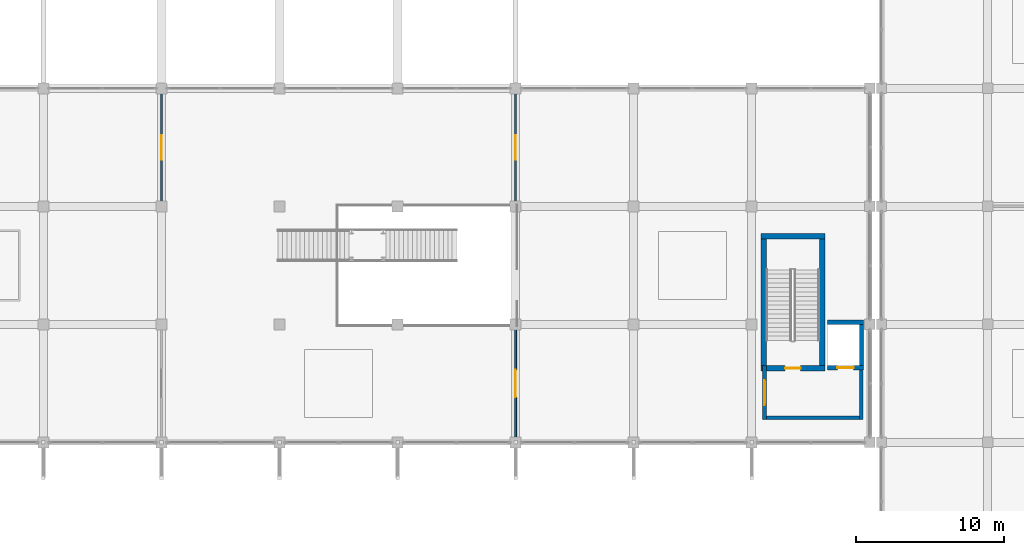
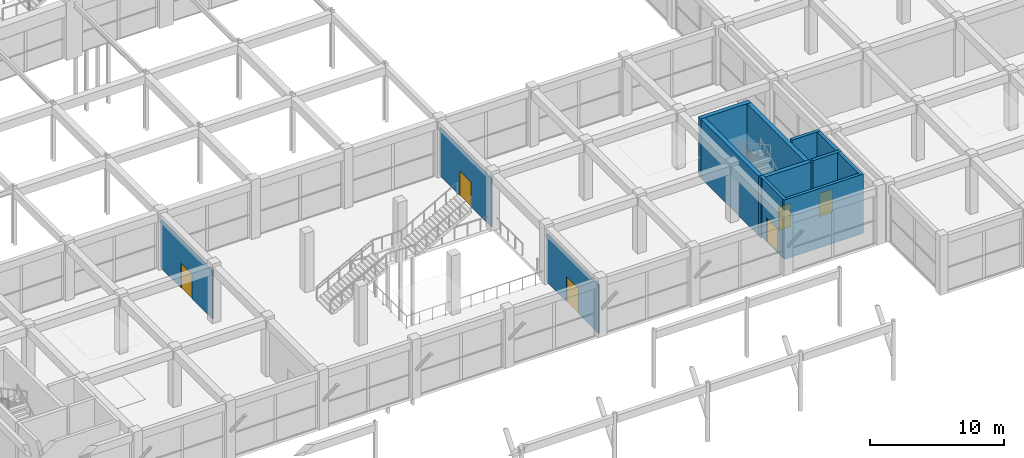
# One storey, part 49 of 69: 13 walls, 6 doors, 6 openings.
"""IFC4 building model written with IfcOpenShell, lengths in metres."""

from ifc_helpers import new_model, si_unit, direction, frame, frame_2d, origin, place, context, subcontext, project, spatial, rectangle, extrude, material, layer, layer_set, type_object, element, fill, save


model = new_model("IFC4")

# Units and contexts
model_context = context("Model", 3, precision=1e-05, world=origin(), true_north=direction((0.0, 1.0)))
body_context = subcontext(model_context, "Body", "Model", "MODEL_VIEW")
ifc_project = project(units=[si_unit("LENGTHUNIT", "METRE"), si_unit("AREAUNIT", "SQUARE_METRE"), si_unit("VOLUMEUNIT", "CUBIC_METRE"), si_unit("PLANEANGLEUNIT", "RADIAN"), si_unit("MASSUNIT", "GRAM", prefix="KILO")], contexts=[model_context])

# Site, building, storey
site_placement = place(None, origin())
site = spatial("IfcSite", under=ifc_project, at=site_placement, CompositionType="ELEMENT")
building_placement = place(site_placement, origin())
building = spatial("IfcBuilding", under=site, at=building_placement, Name="Kenh Van Central Station", CompositionType="ELEMENT")
storey_placement = place(building_placement, frame((0.0, 0.0, 5.39990234375)))
storey = spatial("IfcBuildingStorey", under=building, at=storey_placement, Name="L01", CompositionType="ELEMENT", Elevation=5.39990234375)

# Wall, opening, door
ifc_material_1 = material(Name="Concrete C40/50", Category="concrete")
ifc_layer_1 = layer(ifc_material_1, 0.280029296875, Name="Concrete C40/50")
ifc_layer_set_1 = layer_set([ifc_layer_1], Name="Concrete C40/50")
wall_type_1 = type_object("IfcWallType", Name="WL-CORE-280", PredefinedType="SHEAR", material=ifc_layer_set_1)
wall_1_placement = place(storey_placement, frame((117.14990234375, 21.06005859375, 0.0), z_axis=(0.0, 0.0, 1.0), x_axis=(1.0, 0.0, 0.0)))
wall_1 = element("IfcWall", 1, at=wall_1_placement, inside=storey, type_object=wall_type_1, Name="L01 LIFT-P4 shaft wall S", PredefinedType="SHEAR", context=body_context, shape_type="SweptSolid", body=[
    extrude(rectangle(XDim=2.43017578125, YDim=0.280029296875, at=frame_2d((1.215087890625, 0.0))), origin(), (0.0, 0.0, 1.0), 5.400146484375),
])
opening_1_placement = place(wall_1_placement, frame((0.6650390625, 0.0, 0.0)))
opening_1 = element("IfcOpeningElement", 2, at=opening_1_placement, cuts=wall_1, Name="Opening LD-P1", PredefinedType="OPENING", context=body_context, shape_type="SweptSolid", body=[
    extrude(rectangle(XDim=1.10009765625, YDim=2.14990234375, at=frame_2d((0.550048828125, 1.074951171875))), frame((0.0, 0.14990234375, 0.0), z_axis=(0.0, -1.0, 0.0), x_axis=(1.0, 0.0, 0.0)), (0.0, 0.0, 1.0), 0.300048828125),
])
ifc_material_2 = material(Name="Champagne anodised aluminium", Category="aluminium")
door_type_1 = type_object("IfcDoorType", Name="DR-LIFT-1100x2150", OperationType="SLIDING_TO_LEFT", PredefinedType="DOOR", material=ifc_material_2)
door_1_placement = place(opening_1_placement, origin())
door_1 = element("IfcDoor", 3, at=door_1_placement, inside=storey, type_object=door_type_1, Name="L01 LIFT-P4 sliding landing door", OperationType="SLIDING_TO_LEFT", OverallHeight=2.14990234375, OverallWidth=1.10009765625, PredefinedType="DOOR", context=body_context, shape_type="SweptSolid", body=[
    extrude(rectangle(XDim=1.10009765625, YDim=2.14990234375, at=frame_2d((0.550048828125, 1.074951171875))), frame((0.0, 0.02490234375, 0.0), z_axis=(0.0, -1.0, 0.0), x_axis=(1.0, 0.0, 0.0)), (0.0, 0.0, 1.0), 0.050048828125),
])
fill(opening_1, door_1)

# Walls
wall_2_placement = place(storey_placement, frame((117.14990234375, 24.139892578125, 0.0), z_axis=(0.0, 0.0, 1.0), x_axis=(1.0, 0.0, 0.0)))
element("IfcWall", 4, at=wall_2_placement, inside=storey, type_object=wall_type_1, Name="L01 LIFT-P4 shaft wall N", PredefinedType="SHEAR", context=body_context, shape_type="SweptSolid", body=[
    extrude(rectangle(XDim=2.43017578125, YDim=0.280029296875, at=frame_2d((1.215087890625, 0.0))), origin(), (0.0, 0.0, 1.0), 5.400146484375),
])
wall_3_placement = place(storey_placement, frame((119.43994140625, 21.199951171875, 0.0), z_axis=(0.0, 0.0, 1.0), x_axis=(0.0, 1.0, 0.0)))
element("IfcWall", 5, at=wall_3_placement, inside=storey, type_object=wall_type_1, Name="L01 LIFT-P4 shaft wall E", PredefinedType="SHEAR", context=body_context, shape_type="SweptSolid", body=[
    extrude(rectangle(XDim=2.800048828125, YDim=0.280029296875, at=frame_2d((1.39990234375, 0.0))), origin(), (0.0, 0.0, 1.0), 5.400146484375),
])

# Wall, opening, door
ifc_layer_2 = layer(ifc_material_1, 0.360107421875, Name="Concrete C40/50")
ifc_layer_set_2 = layer_set([ifc_layer_2], Name="Concrete C40/50")
wall_type_2 = type_object("IfcWallType", Name="WL-CORE-360", PredefinedType="SHEAR", material=ifc_layer_set_2)
wall_4_placement = place(storey_placement, frame((112.639892578125, 21.02001953125, 0.0), z_axis=(0.0, 0.0, 1.0), x_axis=(1.0, 0.0, 0.0)))
wall_4 = element("IfcWall", 6, at=wall_4_placement, inside=storey, type_object=wall_type_2, Name="L01 CORE-04 stair wall S", PredefinedType="SHEAR", context=body_context, shape_type="SweptSolid", body=[
    extrude(rectangle(XDim=4.320068359375, YDim=0.360107421875, at=frame_2d((2.16015625, 0.0))), origin(), (0.0, 0.0, 1.0), 5.400146484375),
])
opening_2_placement = place(wall_4_placement, frame((1.635009765625, 0.0, 0.0)))
opening_2 = element("IfcOpeningElement", 7, at=opening_2_placement, cuts=wall_4, Name="Opening D-FD60", PredefinedType="OPENING", context=body_context, shape_type="SweptSolid", body=[
    extrude(rectangle(XDim=1.050048828125, YDim=2.14990234375, at=frame_2d((0.52490234375, 1.074951171875))), frame((0.0, 0.18994140625, 0.0), z_axis=(0.0, -1.0, 0.0), x_axis=(1.0, 0.0, 0.0)), (0.0, 0.0, 1.0), 0.380126953125),
])
door_type_2 = type_object("IfcDoorType", Name="DR-FIRE-1050x2150", OperationType="NOTDEFINED", PredefinedType="DOOR", material=ifc_material_2)
door_2_placement = place(opening_2_placement, origin())
door_2 = element("IfcDoor", 8, at=door_2_placement, inside=storey, type_object=door_type_2, Name="L01 ST-04 stair door", OperationType="SINGLE_SWING_RIGHT", OverallHeight=2.14990234375, OverallWidth=1.050048828125, PredefinedType="DOOR", context=body_context, shape_type="SweptSolid", body=[
    extrude(rectangle(XDim=1.050048828125, YDim=2.14990234375, at=frame_2d((0.52490234375, 1.074951171875))), frame((0.0, 0.02490234375, 0.0), z_axis=(0.0, -1.0, 0.0), x_axis=(1.0, 0.0, 0.0)), (0.0, 0.0, 1.0), 0.050048828125),
])
fill(opening_2, door_2)

# Walls
wall_5_placement = place(storey_placement, frame((112.639892578125, 29.97998046875, 0.0), z_axis=(0.0, 0.0, 1.0), x_axis=(1.0, 0.0, 0.0)))
element("IfcWall", 9, at=wall_5_placement, inside=storey, type_object=wall_type_2, Name="L01 CORE-04 stair wall N", PredefinedType="SHEAR", context=body_context, shape_type="SweptSolid", body=[
    extrude(rectangle(XDim=4.320068359375, YDim=0.360107421875, at=frame_2d((2.16015625, 0.0))), origin(), (0.0, 0.0, 1.0), 5.400146484375),
])
for number, where, z_axis, x_axis, name in (
    (10, (112.820068359375, 21.199951171875, 0.0), (0.0, 0.0, 1.0), (0.0, 1.0, 0.0), "L01 CORE-04 stair wall W"),
    (11, (116.780029296875, 21.199951171875, 0.0), (0.0, 0.0, 1.0), (0.0, 1.0, 0.0), "L01 CORE-04 stair wall E"),
):
    element("IfcWall", number, at=place(storey_placement, frame(where, z_axis=z_axis, x_axis=x_axis)), inside=storey, type_object=wall_type_2, Name=name, PredefinedType="SHEAR", context=body_context, shape_type="SweptSolid", body=[
        extrude(rectangle(XDim=8.60009765625, YDim=0.360107421875, at=frame_2d((4.300048828125, 0.0))), origin(), (0.0, 0.0, 1.0), 5.400146484375),
    ])
ifc_layer_3 = layer(ifc_material_1, 0.260009765625, Name="Concrete C40/50")
ifc_layer_set_3 = layer_set([ifc_layer_3], Name="Concrete C40/50")
wall_type_3 = type_object("IfcWallType", Name="WL-FIRE-260", PredefinedType="SHEAR", material=ifc_layer_set_3)
wall_6_placement = place(storey_placement, frame((119.56005859375, 17.669921875, 0.0), z_axis=(0.0, 0.0, 1.0), x_axis=(-1.0, 0.0, 0.0)))
element("IfcWall", 12, at=wall_6_placement, inside=storey, type_object=wall_type_3, Name="L01 CORE-04 lobby wall S", PredefinedType="SHEAR", context=body_context, shape_type="SweptSolid", body=[
    extrude(rectangle(XDim=6.820068359375, YDim=0.260009765625, at=frame_2d((3.41015625, 0.0))), origin(), (0.0, 0.0, 1.0), 5.400146484375),
])

# Wall, opening, door
wall_7_placement = place(storey_placement, frame((112.8701171875, 17.5400390625, 0.0), z_axis=(0.0, 0.0, 1.0), x_axis=(0.0, 1.0, 0.0)))
wall_7 = element("IfcWall", 13, at=wall_7_placement, inside=storey, type_object=wall_type_3, Name="L01 CORE-04 lobby wall W", PredefinedType="SHEAR", context=body_context, shape_type="SweptSolid", body=[
    extrude(rectangle(XDim=3.659912109375, YDim=0.260009765625, at=frame_2d((1.830078125, 0.0))), origin(), (0.0, 0.0, 1.0), 5.400146484375),
])
opening_3_placement = place(wall_7_placement, frame((0.97998046875, 0.0, 0.0)))
opening_3 = element("IfcOpeningElement", 14, at=opening_3_placement, cuts=wall_7, Name="Opening D-FD60D", PredefinedType="OPENING", context=body_context, shape_type="SweptSolid", body=[
    extrude(rectangle(XDim=1.699951171875, YDim=2.199951171875, at=frame_2d((0.85009765625, 1.10009765625))), frame((0.0, 0.139892578125, 0.0), z_axis=(0.0, -1.0, 0.0), x_axis=(1.0, 0.0, 0.0)), (0.0, 0.0, 1.0), 0.280029296875),
])
door_type_3 = type_object("IfcDoorType", Name="DR-FIRE-1700x2200", OperationType="DOUBLE_DOOR_SINGLE_SWING", PredefinedType="DOOR", material=ifc_material_2)
door_3_placement = place(opening_3_placement, origin())
door_3 = element("IfcDoor", 15, at=door_3_placement, inside=storey, type_object=door_type_3, Name="L01 CORE-04 smoke-stop lobby door", OperationType="DOUBLE_DOOR_SINGLE_SWING", OverallHeight=2.199951171875, OverallWidth=1.699951171875, PredefinedType="DOOR", context=body_context, shape_type="SweptSolid", body=[
    extrude(rectangle(XDim=1.699951171875, YDim=2.199951171875, at=frame_2d((0.85009765625, 1.10009765625))), frame((0.0, 0.02490234375, 0.0), z_axis=(0.0, -1.0, 0.0), x_axis=(1.0, 0.0, 0.0)), (0.0, 0.0, 1.0), 0.050048828125),
])
fill(opening_3, door_3)

# Wall
wall_8_placement = place(storey_placement, frame((119.429931640625, 17.5400390625, 0.0), z_axis=(0.0, 0.0, 1.0), x_axis=(0.0, 1.0, 0.0)))
element("IfcWall", 16, at=wall_8_placement, inside=storey, type_object=wall_type_3, Name="L01 CORE-04 lobby wall E", PredefinedType="SHEAR", context=body_context, shape_type="SweptSolid", body=[
    extrude(rectangle(XDim=3.659912109375, YDim=0.260009765625, at=frame_2d((1.830078125, 0.0))), origin(), (0.0, 0.0, 1.0), 5.400146484375),
])

# Wall, opening, door
ifc_material_3 = material(Name="Lightweight acoustic masonry blockwork", Category="masonry")
ifc_layer_4 = layer(ifc_material_3, 0.114990234375, Name="Lightweight acoustic masonry blockwork")
ifc_layer_set_4 = layer_set([ifc_layer_4], Name="Lightweight acoustic masonry blockwork")
wall_type_4 = type_object("IfcWallType", Name="WL-PART-115", PredefinedType="PARTITIONING", material=ifc_layer_set_4)
wall_9_placement = place(storey_placement, frame((96.0, 32.1201171875, 0.0), z_axis=(0.0, 0.0, 1.0), x_axis=(0.0, 1.0, 0.0)))
wall_9 = element("IfcWall", 17, at=wall_9_placement, inside=storey, type_object=wall_type_4, Name="L01 interior wall 0117", PredefinedType="PARTITIONING", context=body_context, shape_type="SweptSolid", body=[
    extrude(rectangle(XDim=7.759765625, YDim=0.114990234375, at=frame_2d((3.8798828125, 0.0))), origin(), (0.0, 0.0, 1.0), 4.380126953125),
])
opening_4_placement = place(wall_9_placement, frame((3.054931640625, 0.0, 0.0)))
opening_4 = element("IfcOpeningElement", 18, at=opening_4_placement, cuts=wall_9, Name="Opening D-IN02", PredefinedType="OPENING", context=body_context, shape_type="SweptSolid", body=[
    extrude(rectangle(XDim=1.64990234375, YDim=2.25, at=frame_2d((0.824951171875, 1.125))), frame((0.0, 0.0673828125, 0.0), z_axis=(0.0, -1.0, 0.0), x_axis=(1.0, 0.0, 0.0)), (0.0, 0.0, 1.0), 0.135009765625),
])
ifc_material_4 = material(Name="Architectural hardwood timber", Category="wood")
door_type_4 = type_object("IfcDoorType", Name="DR-INT-1650x2250", OperationType="DOUBLE_DOOR_SINGLE_SWING", PredefinedType="DOOR", material=ifc_material_4)
door_4_placement = place(opening_4_placement, origin())
door_4 = element("IfcDoor", 19, at=door_4_placement, inside=storey, type_object=door_type_4, Name="L01 interior door 0064", OperationType="DOUBLE_DOOR_SINGLE_SWING", OverallHeight=2.25, OverallWidth=1.64990234375, PredefinedType="DOOR", context=body_context, shape_type="SweptSolid", body=[
    extrude(rectangle(XDim=1.64990234375, YDim=2.25, at=frame_2d((0.824951171875, 1.125))), frame((0.0, 0.02490234375, 0.0), z_axis=(0.0, -1.0, 0.0), x_axis=(1.0, 0.0, 0.0)), (0.0, 0.0, 1.0), 0.050048828125),
])
fill(opening_4, door_4)

ifc_layer_5 = layer(ifc_material_3, 0.125, Name="Lightweight acoustic masonry blockwork")
ifc_layer_set_5 = layer_set([ifc_layer_5], Name="Lightweight acoustic masonry blockwork")
wall_type_5 = type_object("IfcWallType", Name="WL-PART-125", PredefinedType="PARTITIONING", material=ifc_layer_set_5)
wall_10_placement = place(storey_placement, frame((72.0, 32.1201171875, 0.0), z_axis=(0.0, 0.0, 1.0), x_axis=(0.0, 1.0, 0.0)))
wall_10 = element("IfcWall", 20, at=wall_10_placement, inside=storey, type_object=wall_type_5, Name="L01 interior wall 0116", PredefinedType="PARTITIONING", context=body_context, shape_type="SweptSolid", body=[
    extrude(rectangle(XDim=7.759765625, YDim=0.125, at=frame_2d((3.8798828125, 0.0))), origin(), (0.0, 0.0, 1.0), 4.380126953125),
])
opening_5_placement = place(wall_10_placement, frame((3.054931640625, 0.0, 0.0)))
opening_5 = element("IfcOpeningElement", 21, at=opening_5_placement, cuts=wall_10, Name="Opening D-IN02", PredefinedType="OPENING", context=body_context, shape_type="SweptSolid", body=[
    extrude(rectangle(XDim=1.64990234375, YDim=2.25, at=frame_2d((0.824951171875, 1.125))), frame((0.0, 0.072509765625, 0.0), z_axis=(0.0, -1.0, 0.0), x_axis=(1.0, 0.0, 0.0)), (0.0, 0.0, 1.0), 0.14501953125),
])
door_5_placement = place(opening_5_placement, origin())
door_5 = element("IfcDoor", 22, at=door_5_placement, inside=storey, type_object=door_type_4, Name="L01 interior door 0063", OperationType="DOUBLE_DOOR_SINGLE_SWING", OverallHeight=2.25, OverallWidth=1.64990234375, PredefinedType="DOOR", context=body_context, shape_type="SweptSolid", body=[
    extrude(rectangle(XDim=1.64990234375, YDim=2.25, at=frame_2d((0.824951171875, 1.125))), frame((0.0, 0.02490234375, 0.0), z_axis=(0.0, -1.0, 0.0), x_axis=(1.0, 0.0, 0.0)), (0.0, 0.0, 1.0), 0.050048828125),
])
fill(opening_5, door_5)

ifc_layer_6 = layer(ifc_material_3, 0.135009765625, Name="Lightweight acoustic masonry blockwork")
ifc_layer_set_6 = layer_set([ifc_layer_6], Name="Lightweight acoustic masonry blockwork")
wall_type_6 = type_object("IfcWallType", Name="WL-PART-135", PredefinedType="PARTITIONING", material=ifc_layer_set_6)
wall_11_placement = place(storey_placement, frame((96.0, 16.1201171875, 0.0), z_axis=(0.0, 0.0, 1.0), x_axis=(0.0, 1.0, 0.0)))
wall_11 = element("IfcWall", 23, at=wall_11_placement, inside=storey, type_object=wall_type_6, Name="L01 interior wall 0115", PredefinedType="PARTITIONING", context=body_context, shape_type="SweptSolid", body=[
    extrude(rectangle(XDim=7.759765625, YDim=0.135009765625, at=frame_2d((3.8798828125, 0.0))), origin(), (0.0, 0.0, 1.0), 4.380126953125),
])
opening_6_placement = place(wall_11_placement, frame((2.955078125, 0.0, 0.0)))
opening_6 = element("IfcOpeningElement", 24, at=opening_6_placement, cuts=wall_11, Name="Opening D-IN01", PredefinedType="OPENING", context=body_context, shape_type="SweptSolid", body=[
    extrude(rectangle(XDim=1.85009765625, YDim=2.300048828125, at=frame_2d((0.925048828125, 1.14990234375))), frame((0.0, 0.077392578125, 0.0), z_axis=(0.0, -1.0, 0.0), x_axis=(1.0, 0.0, 0.0)), (0.0, 0.0, 1.0), 0.155029296875),
])
door_type_5 = type_object("IfcDoorType", Name="DR-INT-1850x2300", OperationType="DOUBLE_DOOR_SINGLE_SWING", PredefinedType="DOOR", material=ifc_material_4)
door_6_placement = place(opening_6_placement, origin())
door_6 = element("IfcDoor", 25, at=door_6_placement, inside=storey, type_object=door_type_5, Name="L01 interior door 0062", OperationType="DOUBLE_DOOR_SINGLE_SWING", OverallHeight=2.300048828125, OverallWidth=1.85009765625, PredefinedType="DOOR", context=body_context, shape_type="SweptSolid", body=[
    extrude(rectangle(XDim=1.85009765625, YDim=2.300048828125, at=frame_2d((0.925048828125, 1.14990234375))), frame((0.0, 0.02490234375, 0.0), z_axis=(0.0, -1.0, 0.0), x_axis=(1.0, 0.0, 0.0)), (0.0, 0.0, 1.0), 0.050048828125),
])
fill(opening_6, door_6)

save(model, "model.ifc")
